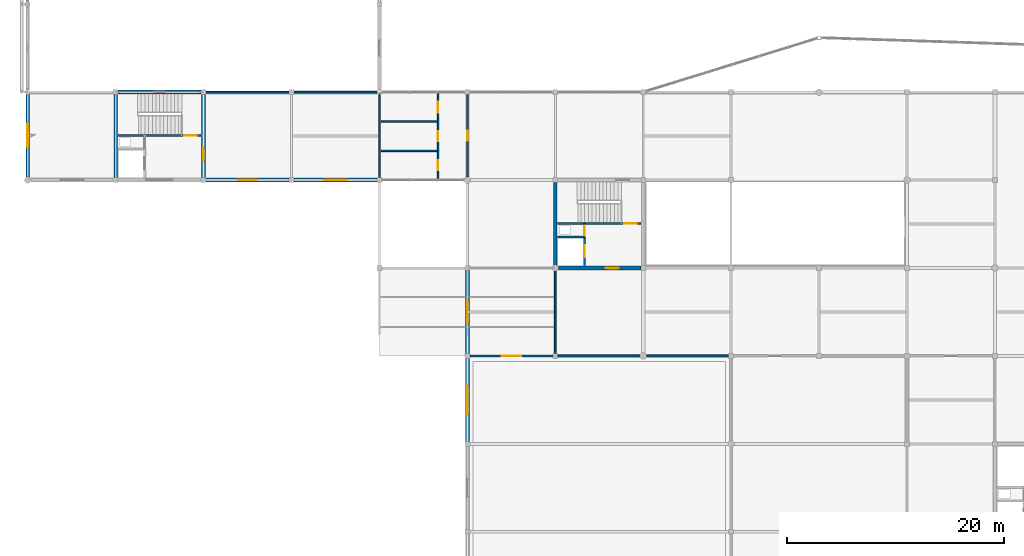
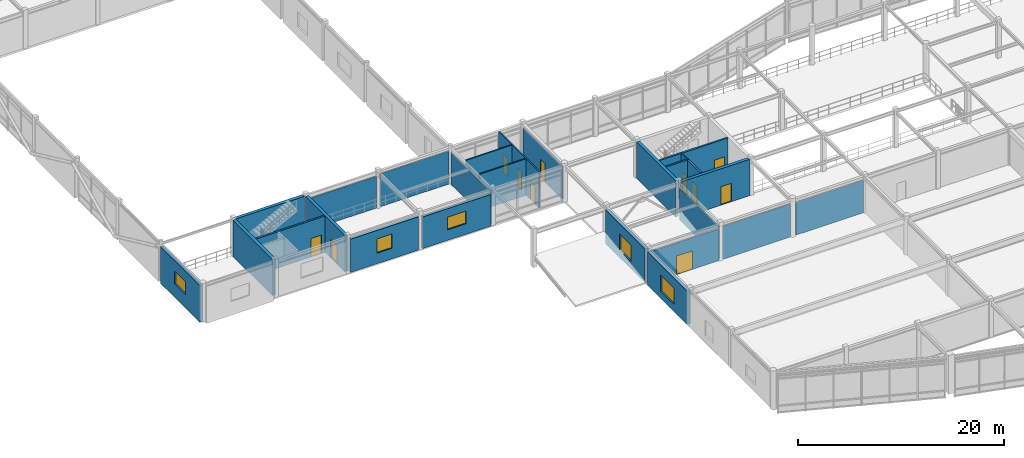
# One storey, part 63 of 93: 26 walls, 11 doors, 5 windows, 16 openings.
"""IFC4 building model written with IfcOpenShell, lengths in metres."""

from ifc_helpers import new_model, si_unit, direction, frame, frame_2d, origin, place, context, subcontext, project, spatial, rectangle, extrude, material, layer, layer_set, type_object, element, fill, save


model = new_model("IFC4")

# Units and contexts
model_context = context("Model", 3, precision=1e-05, world=origin(), true_north=direction((0.0, 1.0)))
body_context = subcontext(model_context, "Body", "Model", "MODEL_VIEW")
ifc_project = project(units=[si_unit("LENGTHUNIT", "METRE"), si_unit("AREAUNIT", "SQUARE_METRE"), si_unit("VOLUMEUNIT", "CUBIC_METRE"), si_unit("PLANEANGLEUNIT", "RADIAN"), si_unit("MASSUNIT", "GRAM", prefix="KILO")], contexts=[model_context])

# Site, building, storey
site_placement = place(None, origin())
site = spatial("IfcSite", under=ifc_project, at=site_placement, CompositionType="ELEMENT")
building_placement = place(site_placement, origin())
building = spatial("IfcBuilding", under=site, at=building_placement, Name="Vaudrelin Polytechnic", CompositionType="ELEMENT")
storey_placement = place(building_placement, frame((0.0, 0.0, 5.10009765625)))
storey = spatial("IfcBuildingStorey", under=building, at=storey_placement, Name="L01", CompositionType="ELEMENT", Elevation=5.10009765625)

# Wall, opening, window
ifc_material_1 = material(Name="Insulated precast concrete sandwich panel 40 MPa", Category="concrete")
ifc_layer_1 = layer(ifc_material_1, 0.340087890625)
ifc_layer_set_1 = layer_set([ifc_layer_1], Name="Insulated precast concrete sandwich panel 40 MPa")
wall_type_1 = type_object("IfcWallType", Name="WAL-EW-IND340", PredefinedType="STANDARD", material=ifc_layer_set_1)
wall_1_placement = place(storey_placement, frame((0.0, 40.798095703125, -0.380126953125), z_axis=(0.0, 0.0, 1.0), x_axis=(0.0, 1.0, 0.0)))
wall_1 = element("IfcWall", 1, at=wall_1_placement, inside=storey, type_object=wall_type_1, Name="Exterior wall L01 W_V1_00", PredefinedType="STANDARD", context=body_context, shape_type="SweptSolid", body=[
    extrude(rectangle(XDim=7.6005859375, YDim=0.340087890625, at=frame_2d((3.80029296875, 0.0))), origin(), (0.0, 0.0, 1.0), 4.375),
])
opening_1_placement = place(wall_1_placement, frame((2.75048828125, 0.0, 1.6298828125)))
opening_1 = element("IfcOpeningElement", 2, at=opening_1_placement, cuts=wall_1, Name="Opening W-L01-W-V1-01", PredefinedType="OPENING", context=body_context, shape_type="SweptSolid", body=[
    extrude(rectangle(XDim=2.10009765625, YDim=1.5, at=frame_2d((1.050048828125, 0.75))), frame((0.0, 0.18017578125, 0.0), z_axis=(0.0, -1.0, 0.0), x_axis=(1.0, 0.0, 0.0)), (0.0, 0.0, 1.0), 0.360107421875),
])
ifc_material_2 = material(Name="Thermally broken aluminium frame with triple low-e glazing", Category="aluminium")
window_type_1 = type_object("IfcWindowType", Name="WIN-WN-05", PartitioningType="SINGLE_PANEL", PredefinedType="WINDOW", material=ifc_material_2)
window_1_placement = place(opening_1_placement, origin())
window_1 = element("IfcWindow", 3, at=window_1_placement, inside=storey, type_object=window_type_1, Name="Facade window L01-W_V1_00", OverallHeight=1.5, OverallWidth=2.10009765625, PartitioningType="SINGLE_PANEL", PredefinedType="WINDOW", context=body_context, shape_type="SweptSolid", body=[
    extrude(rectangle(XDim=2.10009765625, YDim=1.5, at=frame_2d((1.050048828125, 0.75))), frame((0.0, 0.030029296875, 0.0), z_axis=(0.0, -1.0, 0.0), x_axis=(1.0, 0.0, 0.0)), (0.0, 0.0, 1.0), 0.06005859375),
])
fill(opening_1, window_1)

wall_2_placement = place(storey_placement, frame((16.423095703125, 40.5, 0.0), z_axis=(0.0, 0.0, 1.0), x_axis=(1.0, 0.0, 0.0)))
wall_2 = element("IfcWall", 4, at=wall_2_placement, inside=storey, type_object=wall_type_1, Name="Exterior wall L01 S_V1_02", PredefinedType="STANDARD", context=body_context, shape_type="SweptSolid", body=[
    extrude(rectangle(XDim=7.65380859375, YDim=0.340087890625, at=frame_2d((3.826904296875, 0.0))), origin(), (0.0, 0.0, 1.0), 3.94580078125),
])
opening_2_placement = place(wall_2_placement, frame((2.97705078125, 0.0, 1.25)))
opening_2 = element("IfcOpeningElement", 5, at=opening_2_placement, cuts=wall_2, Name="Opening W-L01-S-V1-03", PredefinedType="OPENING", context=body_context, shape_type="SweptSolid", body=[
    extrude(rectangle(XDim=1.699951171875, YDim=1.699951171875, at=frame_2d((0.85009765625, 0.85009765625))), frame((0.0, 0.18017578125, 0.0), z_axis=(0.0, -1.0, 0.0), x_axis=(1.0, 0.0, 0.0)), (0.0, 0.0, 1.0), 0.360107421875),
])
window_type_2 = type_object("IfcWindowType", Name="WIN-WN-39", PartitioningType="SINGLE_PANEL", PredefinedType="WINDOW", material=ifc_material_2)
window_2_placement = place(opening_2_placement, origin())
window_2 = element("IfcWindow", 6, at=window_2_placement, inside=storey, type_object=window_type_2, Name="Facade window L01-S_V1_02", OverallHeight=1.699951171875, OverallWidth=1.699951171875, PartitioningType="SINGLE_PANEL", PredefinedType="WINDOW", context=body_context, shape_type="SweptSolid", body=[
    extrude(rectangle(XDim=1.699951171875, YDim=1.699951171875, at=frame_2d((0.85009765625, 0.85009765625))), frame((0.0, 0.030029296875, 0.0), z_axis=(0.0, -1.0, 0.0), x_axis=(1.0, 0.0, 0.0)), (0.0, 0.0, 1.0), 0.06005859375),
])
fill(opening_2, window_2)

wall_3_placement = place(storey_placement, frame((24.52294921875, 40.5, 0.0), z_axis=(0.0, 0.0, 1.0), x_axis=(1.0, 0.0, 0.0)))
wall_3 = element("IfcWall", 7, at=wall_3_placement, inside=storey, type_object=wall_type_1, Name="Exterior wall L01 S_V1_03", PredefinedType="STANDARD", context=body_context, shape_type="SweptSolid", body=[
    extrude(rectangle(XDim=7.654052734375, YDim=0.340087890625, at=frame_2d((3.8271484375, 0.0))), origin(), (0.0, 0.0, 1.0), 3.7529296875),
])
opening_3_placement = place(wall_3_placement, frame((2.777099609375, 0.0, 1.25)))
opening_3 = element("IfcOpeningElement", 8, at=opening_3_placement, cuts=wall_3, Name="Opening W-L01-S-V1-04", PredefinedType="OPENING", context=body_context, shape_type="SweptSolid", body=[
    extrude(rectangle(XDim=2.10009765625, YDim=1.5, at=frame_2d((1.050048828125, 0.75))), frame((0.0, 0.18017578125, 0.0), z_axis=(0.0, -1.0, 0.0), x_axis=(1.0, 0.0, 0.0)), (0.0, 0.0, 1.0), 0.360107421875),
])
window_3_placement = place(opening_3_placement, origin())
window_3 = element("IfcWindow", 9, at=window_3_placement, inside=storey, type_object=window_type_1, Name="Facade window L01-S_V1_03", OverallHeight=1.5, OverallWidth=2.10009765625, PartitioningType="SINGLE_PANEL", PredefinedType="WINDOW", context=body_context, shape_type="SweptSolid", body=[
    extrude(rectangle(XDim=2.10009765625, YDim=1.5, at=frame_2d((1.050048828125, 0.75))), frame((0.0, 0.030029296875, 0.0), z_axis=(0.0, -1.0, 0.0), x_axis=(1.0, 0.0, 0.0)), (0.0, 0.0, 1.0), 0.06005859375),
])
fill(opening_3, window_3)

ifc_material_3 = material(Name="Architectural ribbed precast concrete 40 MPa", Category="concrete")
ifc_layer_2 = layer(ifc_material_3, 0.3798828125)
ifc_layer_set_2 = layer_set([ifc_layer_2], Name="Architectural ribbed precast concrete 40 MPa")
wall_type_2 = type_object("IfcWallType", Name="WAL-EW-PREC380", PredefinedType="STANDARD", material=ifc_layer_set_2)
wall_4_placement = place(storey_placement, frame((40.5, 16.423095703125, 0.0), z_axis=(0.0, 0.0, 1.0), x_axis=(0.0, 1.0, 0.0)))
wall_4 = element("IfcWall", 10, at=wall_4_placement, inside=storey, type_object=wall_type_2, Name="Exterior wall L01 W_V2_02", PredefinedType="STANDARD", context=body_context, shape_type="SweptSolid", body=[
    extrude(rectangle(XDim=7.65380859375, YDim=0.3798828125, at=frame_2d((3.826904296875, 0.0))), origin(), (0.0, 0.0, 1.0), 3.955810546875),
])
opening_4_placement = place(wall_4_placement, frame((2.527099609375, 0.0, 0.85009765625)))
opening_4 = element("IfcOpeningElement", 11, at=opening_4_placement, cuts=wall_4, Name="Opening W-L01-W-V2-03", PredefinedType="OPENING", context=body_context, shape_type="SweptSolid", body=[
    extrude(rectangle(XDim=2.60009765625, YDim=1.949951171875, at=frame_2d((1.300048828125, 0.97509765625))), frame((0.0, 0.199951171875, 0.0), z_axis=(0.0, -1.0, 0.0), x_axis=(1.0, 0.0, 0.0)), (0.0, 0.0, 1.0), 0.39990234375),
])
window_type_3 = type_object("IfcWindowType", Name="WIN-WN-12", PartitioningType="SINGLE_PANEL", PredefinedType="WINDOW", material=ifc_material_2)
window_4_placement = place(opening_4_placement, origin())
window_4 = element("IfcWindow", 12, at=window_4_placement, inside=storey, type_object=window_type_3, Name="Facade window L01-W_V2_02", OverallHeight=1.949951171875, OverallWidth=2.60009765625, PartitioningType="SINGLE_PANEL", PredefinedType="WINDOW", context=body_context, shape_type="SweptSolid", body=[
    extrude(rectangle(XDim=2.60009765625, YDim=1.949951171875, at=frame_2d((1.300048828125, 0.97509765625))), frame((0.0, 0.030029296875, 0.0), z_axis=(0.0, -1.0, 0.0), x_axis=(1.0, 0.0, 0.0)), (0.0, 0.0, 1.0), 0.06005859375),
])
fill(opening_4, window_4)

wall_5_placement = place(storey_placement, frame((40.5, 24.52294921875, 0.0), z_axis=(0.0, 0.0, 1.0), x_axis=(0.0, 1.0, 0.0)))
wall_5 = element("IfcWall", 13, at=wall_5_placement, inside=storey, type_object=wall_type_2, Name="Exterior wall L01 W_V2_03", PredefinedType="STANDARD", context=body_context, shape_type="SweptSolid", body=[
    extrude(rectangle(XDim=7.654052734375, YDim=0.3798828125, at=frame_2d((3.8271484375, 0.0))), origin(), (0.0, 0.0, 1.0), 4.0068359375),
])
opening_5_placement = place(wall_5_placement, frame((2.72705078125, 0.0, 0.85009765625)))
opening_5 = element("IfcOpeningElement", 14, at=opening_5_placement, cuts=wall_5, Name="Opening W-L01-W-V2-04", PredefinedType="OPENING", context=body_context, shape_type="SweptSolid", body=[
    extrude(rectangle(XDim=2.199951171875, YDim=1.949951171875, at=frame_2d((1.10009765625, 0.97509765625))), frame((0.0, 0.199951171875, 0.0), z_axis=(0.0, -1.0, 0.0), x_axis=(1.0, 0.0, 0.0)), (0.0, 0.0, 1.0), 0.39990234375),
])
window_type_4 = type_object("IfcWindowType", Name="WIN-WN-13", PartitioningType="SINGLE_PANEL", PredefinedType="WINDOW", material=ifc_material_2)
window_5_placement = place(opening_5_placement, origin())
window_5 = element("IfcWindow", 15, at=window_5_placement, inside=storey, type_object=window_type_4, Name="Facade window L01-W_V2_03", OverallHeight=1.949951171875, OverallWidth=2.199951171875, PartitioningType="SINGLE_PANEL", PredefinedType="WINDOW", context=body_context, shape_type="SweptSolid", body=[
    extrude(rectangle(XDim=2.199951171875, YDim=1.949951171875, at=frame_2d((1.10009765625, 0.97509765625))), frame((0.0, 0.030029296875, 0.0), z_axis=(0.0, -1.0, 0.0), x_axis=(1.0, 0.0, 0.0)), (0.0, 0.0, 1.0), 0.06005859375),
])
fill(opening_5, window_5)

# Wall, opening, door
ifc_material_4 = material(Name="Acoustic double-stud gypsum & mineral-wool partition", Category="gypsum")
ifc_layer_3 = layer(ifc_material_4, 0.179931640625)
ifc_layer_set_3 = layer_set([ifc_layer_3], Name="Acoustic double-stud gypsum & mineral-wool partition")
wall_type_3 = type_object("IfcWallType", Name="WAL-PW-AC180", PredefinedType="PARTITIONING", material=ifc_layer_set_3)
wall_6_placement = place(storey_placement, frame((40.722900390625, 24.300048828125, 0.0), z_axis=(0.0, 0.0, 1.0), x_axis=(1.0, 0.0, 0.0)))
wall_6 = element("IfcWall", 16, at=wall_6_placement, inside=storey, type_object=wall_type_3, Name="Partition L01-007 N", PredefinedType="PARTITIONING", context=body_context, shape_type="SweptSolid", body=[
    extrude(rectangle(XDim=7.654052734375, YDim=0.179931640625, at=frame_2d((3.8271484375, 0.0))), origin(), (0.0, 0.0, 1.0), 3.762939453125),
])
opening_6_placement = place(wall_6_placement, frame((2.927001953125, 0.0, 0.0)))
opening_6 = element("IfcOpeningElement", 17, at=opening_6_placement, cuts=wall_6, Name="Opening D-L01-447", PredefinedType="OPENING", context=body_context, shape_type="SweptSolid", body=[
    extrude(rectangle(XDim=1.800048828125, YDim=2.199951171875, at=frame_2d((0.89990234375, 1.10009765625))), frame((0.0, 0.10009765625, 0.0), z_axis=(0.0, -1.0, 0.0), x_axis=(1.0, 0.0, 0.0)), (0.0, 0.0, 1.0), 0.199951171875),
])
ifc_material_5 = material(Name="Pressed galvanised steel acoustic leaf", Category="steel")
door_type_1 = type_object("IfcDoorType", Name="DOR-ID-LEC1", OperationType="NOTDEFINED", PredefinedType="DOOR", material=ifc_material_5)
door_1_placement = place(opening_6_placement, origin())
door_1 = element("IfcDoor", 18, at=door_1_placement, inside=storey, type_object=door_type_1, Name="Lecture Theatre C door L01-007", OperationType="DOUBLE_SWING_LEFT", OverallHeight=2.199951171875, OverallWidth=1.800048828125, PredefinedType="DOOR", context=body_context, shape_type="SweptSolid", body=[
    extrude(rectangle(XDim=1.800048828125, YDim=2.199951171875, at=frame_2d((0.89990234375, 1.10009765625))), frame((0.0, 0.02490234375, 0.0), z_axis=(0.0, -1.0, 0.0), x_axis=(1.0, 0.0, 0.0)), (0.0, 0.0, 1.0), 0.050048828125),
])
fill(opening_6, door_1)

# Walls
wall_7_placement = place(storey_placement, frame((48.822998046875, 24.300048828125, 0.0), z_axis=(0.0, 0.0, 1.0), x_axis=(1.0, 0.0, 0.0)))
element("IfcWall", 19, at=wall_7_placement, inside=storey, type_object=wall_type_3, Name="Partition L01-007 N", PredefinedType="PARTITIONING", context=body_context, shape_type="SweptSolid", body=[
    extrude(rectangle(XDim=7.5791015625, YDim=0.179931640625, at=frame_2d((3.78955078125, 0.0))), origin(), (0.0, 0.0, 1.0), 3.89697265625),
])
wall_8_placement = place(storey_placement, frame((56.998046875, 24.300048828125, 0.0), z_axis=(0.0, 0.0, 1.0), x_axis=(1.0, 0.0, 0.0)))
element("IfcWall", 20, at=wall_8_placement, inside=storey, type_object=wall_type_3, Name="Partition L01-007 N", PredefinedType="PARTITIONING", context=body_context, shape_type="SweptSolid", body=[
    extrude(rectangle(XDim=7.578857421875, YDim=0.179931640625, at=frame_2d((3.78955078125, 0.0))), origin(), (0.0, 0.0, 1.0), 3.848876953125),
])

# Wall, opening, door
ifc_material_6 = material(Name="Fire-rated steel-stud gypsum compartment wall", Category="steel")
ifc_layer_4 = layer(ifc_material_6, 0.14990234375)
ifc_layer_set_4 = layer_set([ifc_layer_4], Name="Fire-rated steel-stud gypsum compartment wall")
wall_type_4 = type_object("IfcWallType", Name="WAL-PW-FIRE60", PredefinedType="PARTITIONING", material=ifc_layer_set_4)
wall_9_placement = place(storey_placement, frame((51.280029296875, 35.25, 0.0), z_axis=(0.0, 0.0, 1.0), x_axis=(0.0, 1.0, 0.0)))
wall_9 = element("IfcWall", 21, at=wall_9_placement, inside=storey, type_object=wall_type_4, Name="Core C4 riser enclosure wall L01", PredefinedType="PARTITIONING", context=body_context, shape_type="SweptSolid", body=[
    extrude(rectangle(XDim=1.260009765625, YDim=0.14990234375, at=frame_2d((0.6298828125, 0.0))), origin(), (0.0, 0.0, 1.0), 4.31201171875),
])
opening_7_placement = place(wall_9_placement, frame((0.139892578125, 0.0, 0.0)))
opening_7 = element("IfcOpeningElement", 22, at=opening_7_placement, cuts=wall_9, Name="Opening D-L01-069", PredefinedType="OPENING", context=body_context, shape_type="SweptSolid", body=[
    extrude(rectangle(XDim=0.89990234375, YDim=2.14990234375, at=frame_2d((0.449951171875, 1.074951171875))), frame((0.0, 0.0849609375, 0.0), z_axis=(0.0, -1.0, 0.0), x_axis=(1.0, 0.0, 0.0)), (0.0, 0.0, 1.0), 0.169921875),
])
door_type_2 = type_object("IfcDoorType", Name="DOR-ID-RSR1", OperationType="NOTDEFINED", PredefinedType="DOOR", material=ifc_material_5)
door_2_placement = place(opening_7_placement, origin())
door_2 = element("IfcDoor", 23, at=door_2_placement, inside=storey, type_object=door_type_2, Name="Core C4 riser access door L01", OperationType="SINGLE_SWING_RIGHT", OverallHeight=2.14990234375, OverallWidth=0.89990234375, PredefinedType="DOOR", context=body_context, shape_type="SweptSolid", body=[
    extrude(rectangle(XDim=0.89990234375, YDim=2.14990234375, at=frame_2d((0.449951171875, 1.074951171875))), frame((0.0, 0.02490234375, 0.0), z_axis=(0.0, -1.0, 0.0), x_axis=(1.0, 0.0, 0.0)), (0.0, 0.0, 1.0), 0.050048828125),
])
fill(opening_7, door_2)

# Walls
wall_10_placement = place(storey_placement, frame((48.60009765625, 24.52294921875, 0.0), z_axis=(0.0, 0.0, 1.0), x_axis=(0.0, 1.0, 0.0)))
element("IfcWall", 24, at=wall_10_placement, inside=storey, type_object=wall_type_4, Name="Lecture upper concourse west fire partition L01", PredefinedType="PARTITIONING", context=body_context, shape_type="SweptSolid", body=[
    extrude(rectangle(XDim=7.5791015625, YDim=0.14990234375, at=frame_2d((3.78955078125, 0.0))), origin(), (0.0, 0.0, 1.0), 3.77880859375),
])
ifc_material_7 = material(Name="Moisture- and chemical-resistant laboratory partition", Category="gypsum")
ifc_layer_5 = layer(ifc_material_7, 0.159912109375)
ifc_layer_set_5 = layer_set([ifc_layer_5], Name="Moisture- and chemical-resistant laboratory partition")
wall_type_5 = type_object("IfcWallType", Name="WAL-PW-LAB160", PredefinedType="PARTITIONING", material=ifc_layer_set_5)
wall_11_placement = place(storey_placement, frame((16.423095703125, 48.60009765625, 0.0), z_axis=(0.0, 0.0, 1.0), x_axis=(1.0, 0.0, 0.0)))
element("IfcWall", 25, at=wall_11_placement, inside=storey, type_object=wall_type_5, Name="Partition L01-002 N", PredefinedType="PARTITIONING", context=body_context, shape_type="SweptSolid", body=[
    extrude(rectangle(XDim=7.65380859375, YDim=0.159912109375, at=frame_2d((3.826904296875, 0.0))), origin(), (0.0, 0.0, 1.0), 3.7529296875),
])
wall_12_placement = place(storey_placement, frame((24.52294921875, 48.60009765625, 0.0), z_axis=(0.0, 0.0, 1.0), x_axis=(1.0, 0.0, 0.0)))
element("IfcWall", 26, at=wall_12_placement, inside=storey, type_object=wall_type_5, Name="Partition L01-002 N", PredefinedType="PARTITIONING", context=body_context, shape_type="SweptSolid", body=[
    extrude(rectangle(XDim=7.67578125, YDim=0.159912109375, at=frame_2d((3.837890625, 0.0))), origin(), (0.0, 0.0, 1.0), 3.886962890625),
])
ifc_material_8 = material(Name="Cement-board tiled wet-wall washroom partition", Category="gypsum")
ifc_layer_6 = layer(ifc_material_8, 0.139892578125)
ifc_layer_set_6 = layer_set([ifc_layer_6], Name="Cement-board tiled wet-wall washroom partition")
wall_type_6 = type_object("IfcWallType", Name="WAL-PW-WC140", PredefinedType="PARTITIONING", material=ifc_layer_set_6)
wall_13_placement = place(storey_placement, frame((32.39990234375, 40.722900390625, 0.0), z_axis=(0.0, 0.0, 1.0), x_axis=(0.0, 1.0, 0.0)))
element("IfcWall", 27, at=wall_13_placement, inside=storey, type_object=wall_type_6, Name="Washroom enclosure wall L01-4-5-W", PredefinedType="PARTITIONING", context=body_context, shape_type="SweptSolid", body=[
    extrude(rectangle(XDim=7.67578125, YDim=0.139892578125, at=frame_2d((3.837890625, 0.0))), origin(), (0.0, 0.0, 1.0), 3.766845703125),
])

# Wall, opening, door
wall_14_placement = place(storey_placement, frame((40.5, 40.798095703125, 0.0), z_axis=(0.0, 0.0, 1.0), x_axis=(0.0, 1.0, 0.0)))
wall_14 = element("IfcWall", 28, at=wall_14_placement, inside=storey, type_object=wall_type_6, Name="Washroom enclosure wall L01-4-5-E", PredefinedType="PARTITIONING", context=body_context, shape_type="SweptSolid", body=[
    extrude(rectangle(XDim=7.578857421875, YDim=0.139892578125, at=frame_2d((3.78955078125, 0.0))), origin(), (0.0, 0.0, 1.0), 3.846923828125),
])
opening_8_placement = place(wall_14_placement, frame((3.32958984375, 0.0, 0.0)))
opening_8 = element("IfcOpeningElement", 29, at=opening_8_placement, cuts=wall_14, Name="Opening D-L01-345", PredefinedType="OPENING", context=body_context, shape_type="SweptSolid", body=[
    extrude(rectangle(XDim=0.919921875, YDim=2.14990234375, at=frame_2d((0.4599609375, 1.074951171875))), frame((0.0, 0.080078125, 0.0), z_axis=(0.0, -1.0, 0.0), x_axis=(1.0, 0.0, 0.0)), (0.0, 0.0, 1.0), 0.159912109375),
])
ifc_material_9 = material(Name="Solid-core birch veneer acoustic leaf", Category="wood")
door_type_3 = type_object("IfcDoorType", Name="DOR-ID-WC1", OperationType="NOTDEFINED", PredefinedType="DOOR", material=ifc_material_9)
door_3_placement = place(opening_8_placement, origin())
door_3 = element("IfcDoor", 30, at=door_3_placement, inside=storey, type_object=door_type_3, Name="Washroom vestibule door L01-4-5-E", OperationType="SINGLE_SWING_LEFT", OverallHeight=2.14990234375, OverallWidth=0.919921875, PredefinedType="DOOR", context=body_context, shape_type="SweptSolid", body=[
    extrude(rectangle(XDim=0.919921875, YDim=2.14990234375, at=frame_2d((0.4599609375, 1.074951171875))), frame((0.0, 0.02490234375, 0.0), z_axis=(0.0, -1.0, 0.0), x_axis=(1.0, 0.0, 0.0)), (0.0, 0.0, 1.0), 0.050048828125),
])
fill(opening_8, door_3)

# Wall, openings, doors
wall_15_placement = place(storey_placement, frame((37.800048828125, 40.64990234375, 0.0), z_axis=(0.0, 0.0, 1.0), x_axis=(0.0, 1.0, 0.0)))
wall_15 = element("IfcWall", 31, at=wall_15_placement, inside=storey, type_object=wall_type_6, Name="Washroom vestibule divider L01-4-5", PredefinedType="PARTITIONING", context=body_context, shape_type="SweptSolid", body=[
    extrude(rectangle(XDim=7.800048828125, YDim=0.139892578125, at=frame_2d((3.89990234375, 0.0))), origin(), (0.0, 0.0, 1.0), 4.31201171875),
])
opening_9_placement = place(wall_15_placement, frame((0.75, 0.0, 0.0)))
opening_9 = element("IfcOpeningElement", 32, at=opening_9_placement, cuts=wall_15, Name="Opening D-L01-346", PredefinedType="OPENING", context=body_context, shape_type="SweptSolid", body=[
    extrude(rectangle(XDim=0.919921875, YDim=2.14990234375, at=frame_2d((0.4599609375, 1.074951171875))), frame((0.0, 0.080078125, 0.0), z_axis=(0.0, -1.0, 0.0), x_axis=(1.0, 0.0, 0.0)), (0.0, 0.0, 1.0), 0.159912109375),
])
opening_10_placement = place(wall_15_placement, frame((3.43994140625, 0.0, 0.0)))
opening_10 = element("IfcOpeningElement", 33, at=opening_10_placement, cuts=wall_15, Name="Opening D-L01-347", PredefinedType="OPENING", context=body_context, shape_type="SweptSolid", body=[
    extrude(rectangle(XDim=0.919921875, YDim=2.14990234375, at=frame_2d((0.4599609375, 1.074951171875))), frame((0.0, 0.080078125, 0.0), z_axis=(0.0, -1.0, 0.0), x_axis=(1.0, 0.0, 0.0)), (0.0, 0.0, 1.0), 0.159912109375),
])
opening_11_placement = place(wall_15_placement, frame((6.050048828125, 0.0, 0.0)))
opening_11 = element("IfcOpeningElement", 34, at=opening_11_placement, cuts=wall_15, Name="Opening D-L01-348", PredefinedType="OPENING", context=body_context, shape_type="SweptSolid", body=[
    extrude(rectangle(XDim=1.0, YDim=2.14990234375, at=frame_2d((0.5, 1.074951171875))), frame((0.0, 0.080078125, 0.0), z_axis=(0.0, -1.0, 0.0), x_axis=(1.0, 0.0, 0.0)), (0.0, 0.0, 1.0), 0.159912109375),
])
door_type_4 = type_object("IfcDoorType", Name="DOR-ID-AWC1", OperationType="NOTDEFINED", PredefinedType="DOOR", material=ifc_material_9)
door_4_placement = place(opening_11_placement, origin())
door_4 = element("IfcDoor", 35, at=door_4_placement, inside=storey, type_object=door_type_4, Name="Washroom stall-room door L01-4-5-3", OperationType="SINGLE_SWING_LEFT", OverallHeight=2.14990234375, OverallWidth=1.0, PredefinedType="DOOR", context=body_context, shape_type="SweptSolid", body=[
    extrude(rectangle(XDim=1.0, YDim=2.14990234375, at=frame_2d((0.5, 1.074951171875))), frame((0.0, 0.02490234375, 0.0), z_axis=(0.0, -1.0, 0.0), x_axis=(1.0, 0.0, 0.0)), (0.0, 0.0, 1.0), 0.050048828125),
])
fill(opening_11, door_4)
door_5_placement = place(opening_9_placement, origin())
door_5 = element("IfcDoor", 36, at=door_5_placement, inside=storey, type_object=door_type_3, Name="Washroom stall-room door L01-4-5-1", OperationType="SINGLE_SWING_LEFT", OverallHeight=2.14990234375, OverallWidth=0.919921875, PredefinedType="DOOR", context=body_context, shape_type="SweptSolid", body=[
    extrude(rectangle(XDim=0.919921875, YDim=2.14990234375, at=frame_2d((0.4599609375, 1.074951171875))), frame((0.0, 0.02490234375, 0.0), z_axis=(0.0, -1.0, 0.0), x_axis=(1.0, 0.0, 0.0)), (0.0, 0.0, 1.0), 0.050048828125),
])
fill(opening_9, door_5)
door_6_placement = place(opening_10_placement, origin())
door_6 = element("IfcDoor", 37, at=door_6_placement, inside=storey, type_object=door_type_3, Name="Washroom stall-room door L01-4-5-2", OperationType="SINGLE_SWING_RIGHT", OverallHeight=2.14990234375, OverallWidth=0.919921875, PredefinedType="DOOR", context=body_context, shape_type="SweptSolid", body=[
    extrude(rectangle(XDim=0.919921875, YDim=2.14990234375, at=frame_2d((0.4599609375, 1.074951171875))), frame((0.0, 0.02490234375, 0.0), z_axis=(0.0, -1.0, 0.0), x_axis=(1.0, 0.0, 0.0)), (0.0, 0.0, 1.0), 0.050048828125),
])
fill(opening_10, door_6)

# Walls
for number, where, z_axis, x_axis, name in (
    (38, (32.550048828125, 43.199951171875, 0.0), (0.0, 0.0, 1.0), (1.0, 0.0, 0.0), "Washroom separation wall L01-4-5-1"),
    (39, (32.550048828125, 45.89990234375, 0.0), (0.0, 0.0, 1.0), (1.0, 0.0, 0.0), "Washroom separation wall L01-4-5-2"),
):
    element("IfcWall", number, at=place(storey_placement, frame(where, z_axis=z_axis, x_axis=x_axis)), inside=storey, type_object=wall_type_6, Name=name, PredefinedType="PARTITIONING", context=body_context, shape_type="SweptSolid", body=[
        extrude(rectangle(XDim=5.179931640625, YDim=0.139892578125, at=frame_2d((2.58984375, 0.0))), origin(), (0.0, 0.0, 1.0), 4.31201171875),
    ])

# Wall, opening, door
ifc_material_10 = material(Name="Concrete 40 MPa", Category="concrete")
ifc_layer_7 = layer(ifc_material_10, 0.199951171875)
ifc_layer_set_7 = layer_set([ifc_layer_7], Name="Concrete 40 MPa")
wall_type_7 = type_object("IfcWallType", Name="WAL-SW-CORE200", PredefinedType="SHEAR", material=ifc_layer_set_7)
wall_16_placement = place(storey_placement, frame((8.320068359375, 44.610107421875, 0.0), z_axis=(0.0, 0.0, 1.0), x_axis=(1.0, 0.0, 0.0)))
wall_16 = element("IfcWall", 40, at=wall_16_placement, inside=storey, type_object=wall_type_7, Name="Core C3 stair enclosure wall L01", PredefinedType="SHEAR", context=body_context, shape_type="SweptSolid", body=[
    extrude(rectangle(XDim=7.659912109375, YDim=0.199951171875, at=frame_2d((3.830078125, 0.0))), origin(), (0.0, 0.0, 1.0), 4.302001953125),
])
opening_12_placement = place(wall_16_placement, frame((6.110107421875, 0.0, 0.0)))
opening_12 = element("IfcOpeningElement", 41, at=opening_12_placement, cuts=wall_16, Name="Opening D-L01-053", PredefinedType="OPENING", context=body_context, shape_type="SweptSolid", body=[
    extrude(rectangle(XDim=1.14990234375, YDim=2.199951171875, at=frame_2d((0.574951171875, 1.10009765625))), frame((0.0, 0.10986328125, 0.0), z_axis=(0.0, -1.0, 0.0), x_axis=(1.0, 0.0, 0.0)), (0.0, 0.0, 1.0), 0.219970703125),
])
door_type_5 = type_object("IfcDoorType", Name="DOR-ID-ST1", OperationType="NOTDEFINED", PredefinedType="DOOR", material=ifc_material_5)
door_7_placement = place(opening_12_placement, origin())
door_7 = element("IfcDoor", 42, at=door_7_placement, inside=storey, type_object=door_type_5, Name="Core C3 exit stair door L01", OperationType="SINGLE_SWING_LEFT", OverallHeight=2.199951171875, OverallWidth=1.14990234375, PredefinedType="DOOR", context=body_context, shape_type="SweptSolid", body=[
    extrude(rectangle(XDim=1.14990234375, YDim=2.199951171875, at=frame_2d((0.574951171875, 1.10009765625))), frame((0.0, 0.02490234375, 0.0), z_axis=(0.0, -1.0, 0.0), x_axis=(1.0, 0.0, 0.0)), (0.0, 0.0, 1.0), 0.050048828125),
])
fill(opening_12, door_7)

wall_17_placement = place(storey_placement, frame((48.820068359375, 36.510009765625, 0.0), z_axis=(0.0, 0.0, 1.0), x_axis=(1.0, 0.0, 0.0)))
wall_17 = element("IfcWall", 43, at=wall_17_placement, inside=storey, type_object=wall_type_7, Name="Core C4 stair enclosure wall L01", PredefinedType="SHEAR", context=body_context, shape_type="SweptSolid", body=[
    extrude(rectangle(XDim=7.659912109375, YDim=0.199951171875, at=frame_2d((3.830078125, 0.0))), origin(), (0.0, 0.0, 1.0), 4.31201171875),
])
opening_13_placement = place(wall_17_placement, frame((6.110107421875, 0.0, 0.0)))
opening_13 = element("IfcOpeningElement", 44, at=opening_13_placement, cuts=wall_17, Name="Opening D-L01-068", PredefinedType="OPENING", context=body_context, shape_type="SweptSolid", body=[
    extrude(rectangle(XDim=1.14990234375, YDim=2.199951171875, at=frame_2d((0.574951171875, 1.10009765625))), frame((0.0, 0.10986328125, 0.0), z_axis=(0.0, -1.0, 0.0), x_axis=(1.0, 0.0, 0.0)), (0.0, 0.0, 1.0), 0.219970703125),
])
door_8_placement = place(opening_13_placement, origin())
door_8 = element("IfcDoor", 45, at=door_8_placement, inside=storey, type_object=door_type_5, Name="Core C4 exit stair door L01", OperationType="SINGLE_SWING_LEFT", OverallHeight=2.199951171875, OverallWidth=1.14990234375, PredefinedType="DOOR", context=body_context, shape_type="SweptSolid", body=[
    extrude(rectangle(XDim=1.14990234375, YDim=2.199951171875, at=frame_2d((0.574951171875, 1.10009765625))), frame((0.0, 0.02490234375, 0.0), z_axis=(0.0, -1.0, 0.0), x_axis=(1.0, 0.0, 0.0)), (0.0, 0.0, 1.0), 0.050048828125),
])
fill(opening_13, door_8)

wall_18_placement = place(storey_placement, frame((51.280029296875, 32.64990234375, 0.0), z_axis=(0.0, 0.0, 1.0), x_axis=(0.0, 1.0, 0.0)))
wall_18 = element("IfcWall", 46, at=wall_18_placement, inside=storey, type_object=wall_type_7, Name="Lift LF-04 shaft front wall L01", PredefinedType="SHEAR", context=body_context, shape_type="SweptSolid", body=[
    extrude(rectangle(XDim=2.60009765625, YDim=0.199951171875, at=frame_2d((1.300048828125, 0.0))), origin(), (0.0, 0.0, 1.0), 4.31201171875),
])
opening_14_placement = place(wall_18_placement, frame((0.75, 0.0, 0.0)))
opening_14 = element("IfcOpeningElement", 47, at=opening_14_placement, cuts=wall_18, Name="Opening LD-LF-04-L01", PredefinedType="OPENING", context=body_context, shape_type="SweptSolid", body=[
    extrude(rectangle(XDim=1.10009765625, YDim=2.199951171875, at=frame_2d((0.550048828125, 1.10009765625))), frame((0.0, 0.10986328125, 0.0), z_axis=(0.0, -1.0, 0.0), x_axis=(1.0, 0.0, 0.0)), (0.0, 0.0, 1.0), 0.219970703125),
])
ifc_material_11 = material(Name="Brushed stainless steel AISI 304", Category="steel")
door_type_6 = type_object("IfcDoorType", Name="DOR-LD-PAX", OperationType="SLIDING_TO_LEFT", PredefinedType="DOOR", material=ifc_material_11)
door_9_placement = place(opening_14_placement, origin())
door_9 = element("IfcDoor", 48, at=door_9_placement, inside=storey, type_object=door_type_6, Name="Lift LF-04 landing door L01", OperationType="SLIDING_TO_LEFT", OverallHeight=2.199951171875, OverallWidth=1.10009765625, PredefinedType="DOOR", context=body_context, shape_type="SweptSolid", body=[
    extrude(rectangle(XDim=1.10009765625, YDim=2.199951171875, at=frame_2d((0.550048828125, 1.10009765625))), frame((0.0, 0.02490234375, 0.0), z_axis=(0.0, -1.0, 0.0), x_axis=(1.0, 0.0, 0.0)), (0.0, 0.0, 1.0), 0.050048828125),
])
fill(opening_14, door_9)

# Walls
wall_19_placement = place(storey_placement, frame((48.820068359375, 35.25, 0.0), z_axis=(0.0, 0.0, 1.0), x_axis=(1.0, 0.0, 0.0)))
element("IfcWall", 49, at=wall_19_placement, inside=storey, type_object=wall_type_7, Name="Lift LF-04 shaft north wall L01", PredefinedType="SHEAR", context=body_context, shape_type="SweptSolid", body=[
    extrude(rectangle(XDim=2.559814453125, YDim=0.199951171875, at=frame_2d((1.27978515625, 0.0))), origin(), (0.0, 0.0, 1.0), 4.31201171875),
])
ifc_material_12 = material(Name="Concrete 50 MPa", Category="concrete")
ifc_layer_8 = layer(ifc_material_12, 0.35009765625)
ifc_layer_set_8 = layer_set([ifc_layer_8], Name="Concrete 50 MPa")
wall_type_8 = type_object("IfcWallType", Name="WAL-SW-CORE350", PredefinedType="SHEAR", material=ifc_layer_set_8)
for number, where, z_axis, x_axis, name in (
    (50, (8.322998046875, 48.60009765625, 0.0), (0.0, 0.0, 1.0), (1.0, 0.0, 0.0), "Core C3 N shear wall L01"),
    (51, (8.10009765625, 40.722900390625, 0.0), (0.0, 0.0, 1.0), (0.0, 1.0, 0.0), "Core C3 W shear wall L01"),
):
    element("IfcWall", number, at=place(storey_placement, frame(where, z_axis=z_axis, x_axis=x_axis)), inside=storey, type_object=wall_type_8, Name=name, PredefinedType="SHEAR", context=body_context, shape_type="SweptSolid", body=[
        extrude(rectangle(XDim=7.654052734375, YDim=0.35009765625, at=frame_2d((3.8271484375, 0.0))), origin(), (0.0, 0.0, 1.0), 4.302001953125),
    ])

# Wall, opening, door
wall_20_placement = place(storey_placement, frame((16.199951171875, 40.722900390625, 0.0), z_axis=(0.0, 0.0, 1.0), x_axis=(0.0, 1.0, 0.0)))
wall_20 = element("IfcWall", 52, at=wall_20_placement, inside=storey, type_object=wall_type_8, Name="Core C3 E shear wall L01", PredefinedType="SHEAR", context=body_context, shape_type="SweptSolid", body=[
    extrude(rectangle(XDim=7.654052734375, YDim=0.35009765625, at=frame_2d((3.8271484375, 0.0))), origin(), (0.0, 0.0, 1.0), 4.302001953125),
])
opening_15_placement = place(wall_20_placement, frame((1.550048828125, 0.0, 0.0)))
opening_15 = element("IfcOpeningElement", 53, at=opening_15_placement, cuts=wall_20, Name="Opening D-L01-052", PredefinedType="OPENING", context=body_context, shape_type="SweptSolid", body=[
    extrude(rectangle(XDim=1.199951171875, YDim=2.199951171875, at=frame_2d((0.60009765625, 1.10009765625))), frame((0.0, 0.18505859375, 0.0), z_axis=(0.0, -1.0, 0.0), x_axis=(1.0, 0.0, 0.0)), (0.0, 0.0, 1.0), 0.3701171875),
])
door_type_7 = type_object("IfcDoorType", Name="DOR-ID-LB1", OperationType="NOTDEFINED", PredefinedType="DOOR", material=ifc_material_5)
door_10_placement = place(opening_15_placement, origin())
door_10 = element("IfcDoor", 54, at=door_10_placement, inside=storey, type_object=door_type_7, Name="Core C3 lobby fire door L01", OperationType="SINGLE_SWING_RIGHT", OverallHeight=2.199951171875, OverallWidth=1.199951171875, PredefinedType="DOOR", context=body_context, shape_type="SweptSolid", body=[
    extrude(rectangle(XDim=1.199951171875, YDim=2.199951171875, at=frame_2d((0.60009765625, 1.10009765625))), frame((0.0, 0.02490234375, 0.0), z_axis=(0.0, -1.0, 0.0), x_axis=(1.0, 0.0, 0.0)), (0.0, 0.0, 1.0), 0.050048828125),
])
fill(opening_15, door_10)

# Wall
wall_21_placement = place(storey_placement, frame((48.60009765625, 32.697998046875, 0.0), z_axis=(0.0, 0.0, 1.0), x_axis=(0.0, 1.0, 0.0)))
element("IfcWall", 55, at=wall_21_placement, inside=storey, type_object=wall_type_8, Name="Core C4 W shear wall L01", PredefinedType="SHEAR", context=body_context, shape_type="SweptSolid", body=[
    extrude(rectangle(XDim=7.5791015625, YDim=0.35009765625, at=frame_2d((3.78955078125, 0.0))), origin(), (0.0, 0.0, 1.0), 4.31201171875),
])

# Wall, opening, door
wall_22_placement = place(storey_placement, frame((48.89794921875, 32.39990234375, 0.0), z_axis=(0.0, 0.0, 1.0), x_axis=(1.0, 0.0, 0.0)))
wall_22 = element("IfcWall", 56, at=wall_22_placement, inside=storey, type_object=wall_type_8, Name="Core C4 S shear wall L01", PredefinedType="SHEAR", context=body_context, shape_type="SweptSolid", body=[
    extrude(rectangle(XDim=7.5791015625, YDim=0.35009765625, at=frame_2d((3.78955078125, 0.0))), origin(), (0.0, 0.0, 1.0), 4.31201171875),
])
opening_16_placement = place(wall_22_placement, frame((4.35205078125, 0.0, 0.0)))
opening_16 = element("IfcOpeningElement", 57, at=opening_16_placement, cuts=wall_22, Name="Opening D-L01-067", PredefinedType="OPENING", context=body_context, shape_type="SweptSolid", body=[
    extrude(rectangle(XDim=1.199951171875, YDim=2.199951171875, at=frame_2d((0.60009765625, 1.10009765625))), frame((0.0, 0.18505859375, 0.0), z_axis=(0.0, -1.0, 0.0), x_axis=(1.0, 0.0, 0.0)), (0.0, 0.0, 1.0), 0.3701171875),
])
door_11_placement = place(opening_16_placement, origin())
door_11 = element("IfcDoor", 58, at=door_11_placement, inside=storey, type_object=door_type_7, Name="Core C4 lobby fire door L01-S", OperationType="SINGLE_SWING_LEFT", OverallHeight=2.199951171875, OverallWidth=1.199951171875, PredefinedType="DOOR", context=body_context, shape_type="SweptSolid", body=[
    extrude(rectangle(XDim=1.199951171875, YDim=2.199951171875, at=frame_2d((0.60009765625, 1.10009765625))), frame((0.0, 0.02490234375, 0.0), z_axis=(0.0, -1.0, 0.0), x_axis=(1.0, 0.0, 0.0)), (0.0, 0.0, 1.0), 0.050048828125),
])
fill(opening_16, door_11)

save(model, "model.ifc")
